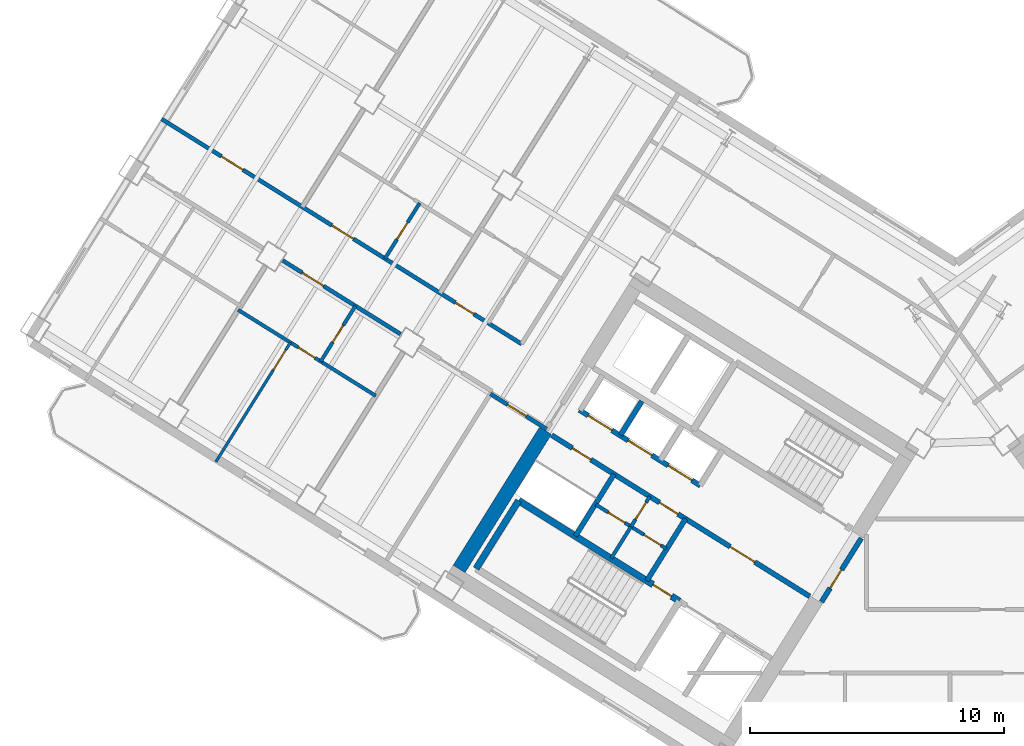
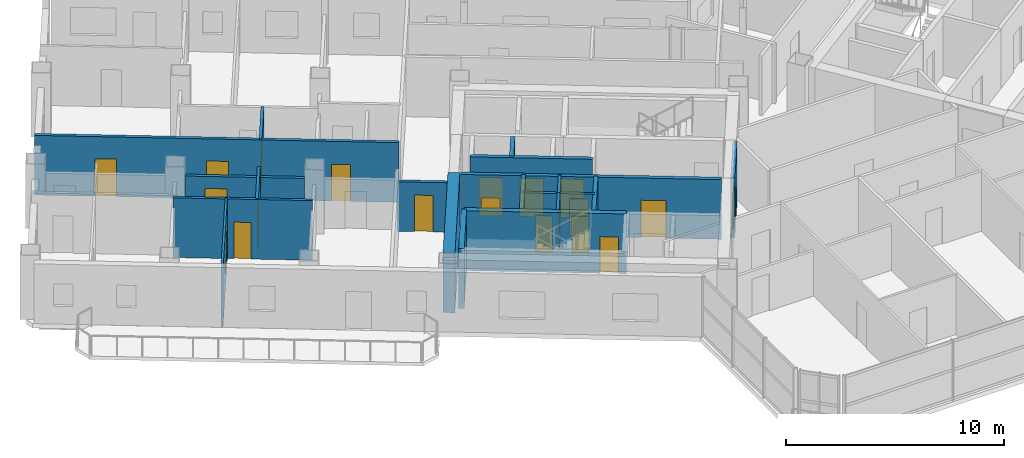
# One storey, part 12 of 20: 20 doors, 20 walls, 20 openings.
"""IFC4 building model written with IfcOpenShell, lengths in metres."""

from ifc_helpers import new_model, si_unit, direction, frame, frame_2d, origin, place, context, subcontext, project, spatial, rectangle, extrude, source, transform, mapped, material, layer, layer_set, type_object, element, fill, save


model = new_model("IFC4")

# Units and contexts
model_context = context("Model", 3, precision=1e-05, world=origin(), true_north=direction((0.0, 1.0)))
body_context = subcontext(model_context, "Body", "Model", "MODEL_VIEW")
ifc_project = project(units=[si_unit("LENGTHUNIT", "METRE"), si_unit("AREAUNIT", "SQUARE_METRE"), si_unit("VOLUMEUNIT", "CUBIC_METRE"), si_unit("PLANEANGLEUNIT", "RADIAN"), si_unit("MASSUNIT", "GRAM", prefix="KILO")], contexts=[model_context])

# Site, building, storey
site_placement = place(None, origin())
site = spatial("IfcSite", under=ifc_project, at=site_placement, CompositionType="ELEMENT")
building_placement = place(site_placement, origin())
building = spatial("IfcBuilding", under=site, at=building_placement, Name="Tlacorven Tower", CompositionType="ELEMENT")
storey_placement = place(building_placement, frame((0.0, 0.0, 108.89990234375)))
storey = spatial("IfcBuildingStorey", under=building, at=storey_placement, Name="L27", CompositionType="ELEMENT", Elevation=108.89990234375)

# Wall
ifc_material_1 = material(Name="Concrete C60/75", Category="concrete")
ifc_layer_1 = layer(ifc_material_1, 0.550048828125)
ifc_layer_set_1 = layer_set([ifc_layer_1], Name="Concrete C60/75")
wall_type_1 = type_object("IfcWallType", Name="WL-COR-550", PredefinedType="SHEAR", material=ifc_layer_set_1)
wall_1_placement = place(storey_placement, frame((26.006591796875, 24.975830078125, 0.0), z_axis=(0.0, 0.0, 1.0), x_axis=(-0.529923795287, -0.848045264823, 0.0)))
element("IfcWall", 1, at=wall_1_placement, inside=storey, type_object=wall_type_1, Name="L27 W core end wall E2.2", PredefinedType="SHEAR", context=body_context, shape_type="SweptSolid", body=[
    extrude(rectangle(XDim=6.425048828125, YDim=0.550048828125, at=frame_2d((3.21240234375, 0.0))), origin(), (0.0, 0.0, 1.0), 3.35009765625),
])

# Wall, opening, door
ifc_material_2 = material(Name="Gypsum plasterboard acoustic partition", Category="gypsum")
ifc_layer_2 = layer(ifc_material_2, 0.159912109375)
ifc_layer_set_2 = layer_set([ifc_layer_2], Name="Gypsum plasterboard acoustic partition")
wall_type_2 = type_object("IfcWallType", Name="WL-DEM-160", PredefinedType="PARTITIONING", material=ifc_layer_set_2)
wall_2_placement = place(storey_placement, frame((26.048828125, 25.043701171875, 0.0), z_axis=(0.0, 0.0, 1.0), x_axis=(-0.848050851465, 0.529914854792, 0.0)))
wall_2 = element("IfcWall", 2, at=wall_2_placement, inside=storey, type_object=wall_type_2, Name="L27 partition 46", PredefinedType="PARTITIONING", context=body_context, shape_type="SweptSolid", body=[
    extrude(rectangle(XDim=2.60986328125, YDim=0.159912109375, at=frame_2d((1.304931640625, 0.0))), origin(), (0.0, 0.0, 1.0), 2.775146484375),
])
opening_1_placement = place(wall_2_placement, frame((0.949951171875, 0.0, 0.0)))
opening_1 = element("IfcOpeningElement", 3, at=opening_1_placement, cuts=wall_2, Name="Opening D19", PredefinedType="OPENING", context=body_context, shape_type="SweptSolid", body=[
    extrude(rectangle(XDim=0.860107421875, YDim=2.050048828125, at=frame_2d((0.43017578125, 1.02490234375))), frame((0.0, 0.08984375, 0.0), z_axis=(0.0, -1.0, 0.0), x_axis=(1.0, 0.0, 0.0)), (0.0, 0.0, 1.0), 0.179931640625),
])
ifc_material_3 = material(Name="Fire-rated steel door assembly", Category="steel")
door_type_1 = type_object("IfcDoorType", Name="DR-RSR-FD60-0860", OperationType="NOTDEFINED", PredefinedType="DOOR", material=ifc_material_3)
shared_shape_1 = source(origin(), body_context, "Body", "SweptSolid", [
    extrude(rectangle(XDim=0.860107421875, YDim=2.050048828125, at=frame_2d((0.43017578125, 1.02490234375))), frame((0.0, 0.02490234375, 0.0), z_axis=(0.0, -1.0, 0.0), x_axis=(1.0, 0.0, 0.0)), (0.0, 0.0, 1.0), 0.050048828125),
])
door_1_placement = place(opening_1_placement, origin())
door_1 = element("IfcDoor", 4, at=door_1_placement, inside=storey, type_object=door_type_1, Name="L27 door 022", OperationType="SINGLE_SWING_LEFT", OverallHeight=2.050048828125, OverallWidth=0.860107421875, PredefinedType="DOOR", context=body_context, shape_type="MappedRepresentation", body=[
    mapped(shared_shape_1, transform((0.0, 0.0, 0.0), scale=1.0)),
])
fill(opening_1, door_1)

# Wall, openings, doors
wall_3_placement = place(storey_placement, frame((25.06494140625, 28.394287109375, 0.0), z_axis=(0.0, 0.0, 1.0), x_axis=(-0.848048310262, 0.529918921593, 0.0)))
wall_3 = element("IfcWall", 5, at=wall_3_placement, inside=storey, type_object=wall_type_2, Name="L27 Wing W Corridor South Wall", PredefinedType="PARTITIONING", context=body_context, shape_type="SweptSolid", body=[
    extrude(rectangle(XDim=16.72998046875, YDim=0.159912109375, at=frame_2d((8.364990234375, 0.0))), origin(), (0.0, 0.0, 1.0), 3.340087890625),
])
opening_2_placement = place(wall_3_placement, frame((2.219970703125, 0.0, 0.0)))
opening_2 = element("IfcOpeningElement", 6, at=opening_2_placement, cuts=wall_3, Name="Opening D19", PredefinedType="OPENING", context=body_context, shape_type="SweptSolid", body=[
    extrude(rectangle(XDim=0.860107421875, YDim=2.050048828125, at=frame_2d((0.43017578125, 1.02490234375))), frame((0.0, 0.08984375, 0.0), z_axis=(0.0, -1.0, 0.0), x_axis=(1.0, 0.0, 0.0)), (0.0, 0.0, 1.0), 0.179931640625),
])
opening_3_placement = place(wall_3_placement, frame((7.820068359375, 0.0, 0.0)))
opening_3 = element("IfcOpeningElement", 7, at=opening_3_placement, cuts=wall_3, Name="Opening D11", PredefinedType="OPENING", context=body_context, shape_type="SweptSolid", body=[
    extrude(rectangle(XDim=1.0, YDim=2.10009765625, at=frame_2d((0.5, 1.050048828125))), frame((0.0, 0.08984375, 0.0), z_axis=(0.0, -1.0, 0.0), x_axis=(1.0, 0.0, 0.0)), (0.0, 0.0, 1.0), 0.179931640625),
])
opening_4_placement = place(wall_3_placement, frame((12.949951171875, 0.0, 0.0)))
opening_4 = element("IfcOpeningElement", 8, at=opening_4_placement, cuts=wall_3, Name="Opening D11", PredefinedType="OPENING", context=body_context, shape_type="SweptSolid", body=[
    extrude(rectangle(XDim=1.0, YDim=2.10009765625, at=frame_2d((0.5, 1.050048828125))), frame((0.0, 0.08984375, 0.0), z_axis=(0.0, -1.0, 0.0), x_axis=(1.0, 0.0, 0.0)), (0.0, 0.0, 1.0), 0.179931640625),
])
door_2_placement = place(opening_2_placement, origin())
door_2 = element("IfcDoor", 9, at=door_2_placement, inside=storey, type_object=door_type_1, Name="L27 door 034", OperationType="SINGLE_SWING_RIGHT", OverallHeight=2.050048828125, OverallWidth=0.860107421875, PredefinedType="DOOR", context=body_context, shape_type="MappedRepresentation", body=[
    mapped(shared_shape_1, transform((0.0, 0.0, 0.0), scale=1.0)),
])
fill(opening_2, door_2)
door_type_2 = type_object("IfcDoorType", Name="DR-FLT-FD60-1000", OperationType="NOTDEFINED", PredefinedType="DOOR", material=ifc_material_3)
shared_shape_2 = source(origin(), body_context, "Body", "SweptSolid", [
    extrude(rectangle(XDim=1.0, YDim=2.10009765625, at=frame_2d((0.5, 1.050048828125))), frame((0.0, 0.02490234375, 0.0), z_axis=(0.0, -1.0, 0.0), x_axis=(1.0, 0.0, 0.0)), (0.0, 0.0, 1.0), 0.050048828125),
])
door_3_placement = place(opening_3_placement, origin())
door_3 = element("IfcDoor", 10, at=door_3_placement, inside=storey, type_object=door_type_2, Name="L27 door 038", OperationType="SINGLE_SWING_RIGHT", OverallHeight=2.10009765625, OverallWidth=1.0, PredefinedType="DOOR", context=body_context, shape_type="MappedRepresentation", body=[
    mapped(shared_shape_2, transform((0.0, 0.0, 0.0), scale=1.0)),
])
fill(opening_3, door_3)
door_4_placement = place(opening_4_placement, origin())
door_4 = element("IfcDoor", 11, at=door_4_placement, inside=storey, type_object=door_type_2, Name="L27 door 041", OperationType="SINGLE_SWING_LEFT", OverallHeight=2.10009765625, OverallWidth=1.0, PredefinedType="DOOR", context=body_context, shape_type="MappedRepresentation", body=[
    mapped(shared_shape_2, transform((0.0, 0.0, 0.0), scale=1.0)),
])
fill(opening_4, door_4)

# Wall, opening, door
wall_4_placement = place(storey_placement, frame((20.293212890625, 28.78173828125, 0.0), z_axis=(0.0, 0.0, 1.0), x_axis=(-0.848040881926, 0.529930809241, 0.0)))
wall_4 = element("IfcWall", 12, at=wall_4_placement, inside=storey, type_object=wall_type_2, Name="L27 Wing W Corridor North Wall", PredefinedType="PARTITIONING", context=body_context, shape_type="SweptSolid", body=[
    extrude(rectangle(XDim=5.475830078125, YDim=0.159912109375, at=frame_2d((2.73779296875, 0.0))), origin(), (0.0, 0.0, 1.0), 2.775146484375),
])
opening_5_placement = place(wall_4_placement, frame((3.568115234375, 0.0, 0.0)))
opening_5 = element("IfcOpeningElement", 13, at=opening_5_placement, cuts=wall_4, Name="Opening D11", PredefinedType="OPENING", context=body_context, shape_type="SweptSolid", body=[
    extrude(rectangle(XDim=1.0, YDim=2.10009765625, at=frame_2d((0.5, 1.050048828125))), frame((0.0, 0.08984375, 0.0), z_axis=(0.0, -1.0, 0.0), x_axis=(1.0, 0.0, 0.0)), (0.0, 0.0, 1.0), 0.179931640625),
])
door_5_placement = place(opening_5_placement, origin())
door_5 = element("IfcDoor", 14, at=door_5_placement, inside=storey, type_object=door_type_2, Name="L27 door 026", OperationType="SINGLE_SWING_LEFT", OverallHeight=2.10009765625, OverallWidth=1.0, PredefinedType="DOOR", context=body_context, shape_type="MappedRepresentation", body=[
    mapped(shared_shape_2, transform((0.0, 0.0, 0.0), scale=1.0)),
])
fill(opening_5, door_5)

ifc_material_4 = material(Name="Gypsum plasterboard partition", Category="gypsum")
ifc_layer_3 = layer(ifc_material_4, 0.110107421875)
ifc_layer_set_3 = layer_set([ifc_layer_3], Name="Gypsum plasterboard partition")
wall_type_3 = type_object("IfcWallType", Name="WL-INT-110", PredefinedType="PARTITIONING", material=ifc_layer_set_3)
wall_5_placement = place(storey_placement, frame((15.952880859375, 28.45166015625, 0.0), z_axis=(0.0, 0.0, 1.0), x_axis=(-0.529919714018, -0.848047815099, 0.0)))
wall_5 = element("IfcWall", 15, at=wall_5_placement, inside=storey, type_object=wall_type_3, Name="L27 partition 56", PredefinedType="PARTITIONING", context=body_context, shape_type="SweptSolid", body=[
    extrude(rectangle(XDim=5.5400390625, YDim=0.110107421875, at=frame_2d((2.77001953125, 0.0))), origin(), (0.0, 0.0, 1.0), 3.340087890625),
])
opening_6_placement = place(wall_5_placement, frame((0.35009765625, 0.0, 0.0)))
opening_6 = element("IfcOpeningElement", 16, at=opening_6_placement, cuts=wall_5, Name="Opening D12", PredefinedType="OPENING", context=body_context, shape_type="SweptSolid", body=[
    extrude(rectangle(XDim=0.919921875, YDim=2.080078125, at=frame_2d((0.4599609375, 1.0400390625))), frame((0.0, 0.06494140625, 0.0), z_axis=(0.0, -1.0, 0.0), x_axis=(1.0, 0.0, 0.0)), (0.0, 0.0, 1.0), 0.130126953125),
])
ifc_material_5 = material(Name="Powder-coated aluminium and timber door", Category="wood")
door_type_3 = type_object("IfcDoorType", Name="DR-INT-ROOM-0920", OperationType="NOTDEFINED", PredefinedType="DOOR", material=ifc_material_5)
shared_shape_3 = source(origin(), body_context, "Body", "SweptSolid", [
    extrude(rectangle(XDim=0.919921875, YDim=2.080078125, at=frame_2d((0.4599609375, 1.0400390625))), frame((0.0, 0.02490234375, 0.0), z_axis=(0.0, -1.0, 0.0), x_axis=(1.0, 0.0, 0.0)), (0.0, 0.0, 1.0), 0.050048828125),
])
door_6_placement = place(opening_6_placement, origin())
door_6 = element("IfcDoor", 17, at=door_6_placement, inside=storey, type_object=door_type_3, Name="L27 door 025", OperationType="SINGLE_SWING_LEFT", OverallHeight=2.080078125, OverallWidth=0.919921875, PredefinedType="DOOR", context=body_context, shape_type="MappedRepresentation", body=[
    mapped(shared_shape_3, transform((0.0, 0.0, 0.0), scale=1.0)),
])
fill(opening_6, door_6)

ifc_material_6 = material(Name="Moisture-resistant gypsum plumbing wall", Category="gypsum")
ifc_layer_4 = layer(ifc_material_6, 0.139892578125)
ifc_layer_set_4 = layer_set([ifc_layer_4], Name="Moisture-resistant gypsum plumbing wall")
wall_type_4 = type_object("IfcWallType", Name="WL-PLM-140", PredefinedType="PLUMBINGWALL", material=ifc_layer_set_4)
wall_6_placement = place(storey_placement, frame((30.117431640625, 22.383544921875, 0.0), z_axis=(0.0, 0.0, 1.0), x_axis=(-0.529951914384, -0.848027693204, 0.0)))
wall_6 = element("IfcWall", 18, at=wall_6_placement, inside=storey, type_object=wall_type_4, Name="L27 partition 23", PredefinedType="PLUMBINGWALL", context=body_context, shape_type="SweptSolid", body=[
    extrude(rectangle(XDim=1.39990234375, YDim=0.139892578125, at=frame_2d((0.699951171875, 0.0))), origin(), (0.0, 0.0, 1.0), 3.340087890625),
])
opening_7_placement = place(wall_6_placement, frame((0.280029296875, 0.0, 0.0)))
opening_7 = element("IfcOpeningElement", 19, at=opening_7_placement, cuts=wall_6, Name="Opening D22", PredefinedType="OPENING", context=body_context, shape_type="SweptSolid", body=[
    extrude(rectangle(XDim=0.780029296875, YDim=2.050048828125, at=frame_2d((0.39013671875, 1.02490234375))), frame((0.0, 0.080078125, 0.0), z_axis=(0.0, -1.0, 0.0), x_axis=(1.0, 0.0, 0.0)), (0.0, 0.0, 1.0), 0.159912109375),
])
door_type_4 = type_object("IfcDoorType", Name="DR-INT-WET-0780", OperationType="NOTDEFINED", PredefinedType="DOOR", material=ifc_material_5)
shared_shape_4 = source(origin(), body_context, "Body", "SweptSolid", [
    extrude(rectangle(XDim=0.780029296875, YDim=2.050048828125, at=frame_2d((0.39013671875, 1.02490234375))), frame((0.0, 0.02490234375, 0.0), z_axis=(0.0, -1.0, 0.0), x_axis=(1.0, 0.0, 0.0)), (0.0, 0.0, 1.0), 0.050048828125),
])
door_7_placement = place(opening_7_placement, origin())
door_7 = element("IfcDoor", 20, at=door_7_placement, inside=storey, type_object=door_type_4, Name="L27 door 011", OperationType="SINGLE_SWING_RIGHT", OverallHeight=2.050048828125, OverallWidth=0.780029296875, PredefinedType="DOOR", context=body_context, shape_type="MappedRepresentation", body=[
    mapped(shared_shape_4, transform((0.0, 0.0, 0.0), scale=1.0)),
])
fill(opening_7, door_7)

# Wall
wall_7_placement = place(storey_placement, frame((29.37548828125, 21.1962890625, 0.0), z_axis=(0.0, 0.0, 1.0), x_axis=(-0.529865479138, -0.848081702443, 0.0)))
element("IfcWall", 21, at=wall_7_placement, inside=storey, type_object=wall_type_4, Name="L27 partition 24", PredefinedType="PLUMBINGWALL", context=body_context, shape_type="SweptSolid", body=[
    extrude(rectangle(XDim=1.47998046875, YDim=0.139892578125, at=frame_2d((0.739990234375, 0.0))), origin(), (0.0, 0.0, 1.0), 3.340087890625),
])

# Wall, openings, doors
wall_8_placement = place(storey_placement, frame((30.766357421875, 20.3271484375, 0.0), z_axis=(0.0, 0.0, 1.0), x_axis=(-0.848052663127, 0.529911955482, 0.0)))
wall_8 = element("IfcWall", 22, at=wall_8_placement, inside=storey, type_object=wall_type_4, Name="L27 partition 25", PredefinedType="PLUMBINGWALL", context=body_context, shape_type="SweptSolid", body=[
    extrude(rectangle(XDim=3.27978515625, YDim=0.139892578125, at=frame_2d((1.639892578125, 0.0))), origin(), (0.0, 0.0, 1.0), 3.340087890625),
])
opening_8_placement = place(wall_8_placement, frame((0.25, 0.0, 0.0)))
opening_8 = element("IfcOpeningElement", 23, at=opening_8_placement, cuts=wall_8, Name="Opening D22", PredefinedType="OPENING", context=body_context, shape_type="SweptSolid", body=[
    extrude(rectangle(XDim=0.780029296875, YDim=2.050048828125, at=frame_2d((0.39013671875, 1.02490234375))), frame((0.0, 0.080078125, 0.0), z_axis=(0.0, -1.0, 0.0), x_axis=(1.0, 0.0, 0.0)), (0.0, 0.0, 1.0), 0.159912109375),
])
opening_9_placement = place(wall_8_placement, frame((1.919921875, 0.0, 0.0)))
opening_9 = element("IfcOpeningElement", 24, at=opening_9_placement, cuts=wall_8, Name="Opening D22", PredefinedType="OPENING", context=body_context, shape_type="SweptSolid", body=[
    extrude(rectangle(XDim=0.780029296875, YDim=2.050048828125, at=frame_2d((0.39013671875, 1.02490234375))), frame((0.0, 0.080078125, 0.0), z_axis=(0.0, -1.0, 0.0), x_axis=(1.0, 0.0, 0.0)), (0.0, 0.0, 1.0), 0.159912109375),
])
door_8_placement = place(opening_8_placement, origin())
door_8 = element("IfcDoor", 25, at=door_8_placement, inside=storey, type_object=door_type_4, Name="L27 door 012", OperationType="SINGLE_SWING_LEFT", OverallHeight=2.050048828125, OverallWidth=0.780029296875, PredefinedType="DOOR", context=body_context, shape_type="MappedRepresentation", body=[
    mapped(shared_shape_4, transform((0.0, 0.0, 0.0), scale=1.0)),
])
fill(opening_8, door_8)
door_9_placement = place(opening_9_placement, origin())
door_9 = element("IfcDoor", 26, at=door_9_placement, inside=storey, type_object=door_type_4, Name="L27 door 013", OperationType="SINGLE_SWING_RIGHT", OverallHeight=2.050048828125, OverallWidth=0.780029296875, PredefinedType="DOOR", context=body_context, shape_type="MappedRepresentation", body=[
    mapped(shared_shape_4, transform((0.0, 0.0, 0.0), scale=1.0)),
])
fill(opening_9, door_9)

# Wall, opening, door
wall_9_placement = place(storey_placement, frame((19.31787109375, 26.348876953125, 0.0), z_axis=(0.0, 0.0, 1.0), x_axis=(-0.848039019877, 0.529933789039, 0.0)))
wall_9 = element("IfcWall", 27, at=wall_9_placement, inside=storey, type_object=wall_type_4, Name="L27 partition 54", PredefinedType="PLUMBINGWALL", context=body_context, shape_type="SweptSolid", body=[
    extrude(rectangle(XDim=6.400146484375, YDim=0.139892578125, at=frame_2d((3.2001953125, 0.0))), origin(), (0.0, 0.0, 1.0), 3.340087890625),
])
opening_10_placement = place(wall_9_placement, frame((2.823974609375, 0.0, 0.0)))
opening_10 = element("IfcOpeningElement", 28, at=opening_10_placement, cuts=wall_9, Name="Opening D22", PredefinedType="OPENING", context=body_context, shape_type="SweptSolid", body=[
    extrude(rectangle(XDim=0.780029296875, YDim=2.050048828125, at=frame_2d((0.39013671875, 1.02490234375))), frame((0.0, 0.080078125, 0.0), z_axis=(0.0, -1.0, 0.0), x_axis=(1.0, 0.0, 0.0)), (0.0, 0.0, 1.0), 0.159912109375),
])
door_10_placement = place(opening_10_placement, origin())
door_10 = element("IfcDoor", 29, at=door_10_placement, inside=storey, type_object=door_type_4, Name="L27 door 027", OperationType="SINGLE_SWING_LEFT", OverallHeight=2.050048828125, OverallWidth=0.780029296875, PredefinedType="DOOR", context=body_context, shape_type="MappedRepresentation", body=[
    mapped(shared_shape_4, transform((0.0, 0.0, 0.0), scale=1.0)),
])
fill(opening_10, door_10)

wall_10_placement = place(storey_placement, frame((18.513916015625, 29.8935546875, 0.0), z_axis=(0.0, 0.0, 1.0), x_axis=(-0.529913878929, -0.848051461244, 0.0)))
wall_10 = element("IfcWall", 30, at=wall_10_placement, inside=storey, type_object=wall_type_4, Name="L27 partition 55", PredefinedType="PLUMBINGWALL", context=body_context, shape_type="SweptSolid", body=[
    extrude(rectangle(XDim=2.580078125, YDim=0.139892578125, at=frame_2d((1.2900390625, 0.0))), origin(), (0.0, 0.0, 1.0), 3.340087890625),
])
opening_11_placement = place(wall_10_placement, frame((0.89990234375, 0.0, 0.0)))
opening_11 = element("IfcOpeningElement", 31, at=opening_11_placement, cuts=wall_10, Name="Opening D22", PredefinedType="OPENING", context=body_context, shape_type="SweptSolid", body=[
    extrude(rectangle(XDim=0.780029296875, YDim=2.050048828125, at=frame_2d((0.39013671875, 1.02490234375))), frame((0.0, 0.080078125, 0.0), z_axis=(0.0, -1.0, 0.0), x_axis=(1.0, 0.0, 0.0)), (0.0, 0.0, 1.0), 0.159912109375),
])
door_11_placement = place(opening_11_placement, origin())
door_11 = element("IfcDoor", 32, at=door_11_placement, inside=storey, type_object=door_type_4, Name="L27 door 028", OperationType="SINGLE_SWING_RIGHT", OverallHeight=2.050048828125, OverallWidth=0.780029296875, PredefinedType="DOOR", context=body_context, shape_type="MappedRepresentation", body=[
    mapped(shared_shape_4, transform((0.0, 0.0, 0.0), scale=1.0)),
])
fill(opening_11, door_11)

wall_11_placement = place(storey_placement, frame((21.047119140625, 33.947265625, 0.0), z_axis=(0.0, 0.0, 1.0), x_axis=(-0.529913878929, -0.848051461244, 0.0)))
wall_11 = element("IfcWall", 33, at=wall_11_placement, inside=storey, type_object=wall_type_4, Name="L27 partition 66", PredefinedType="PLUMBINGWALL", context=body_context, shape_type="SweptSolid", body=[
    extrude(rectangle(XDim=2.580078125, YDim=0.139892578125, at=frame_2d((1.2900390625, 0.0))), origin(), (0.0, 0.0, 1.0), 3.340087890625),
])
opening_12_placement = place(wall_11_placement, frame((0.89990234375, 0.0, 0.0)))
opening_12 = element("IfcOpeningElement", 34, at=opening_12_placement, cuts=wall_11, Name="Opening D22", PredefinedType="OPENING", context=body_context, shape_type="SweptSolid", body=[
    extrude(rectangle(XDim=0.780029296875, YDim=2.050048828125, at=frame_2d((0.39013671875, 1.02490234375))), frame((0.0, 0.080078125, 0.0), z_axis=(0.0, -1.0, 0.0), x_axis=(1.0, 0.0, 0.0)), (0.0, 0.0, 1.0), 0.159912109375),
])
door_12_placement = place(opening_12_placement, origin())
door_12 = element("IfcDoor", 35, at=door_12_placement, inside=storey, type_object=door_type_4, Name="L27 door 040", OperationType="SINGLE_SWING_RIGHT", OverallHeight=2.050048828125, OverallWidth=0.780029296875, PredefinedType="DOOR", context=body_context, shape_type="MappedRepresentation", body=[
    mapped(shared_shape_4, transform((0.0, 0.0, 0.0), scale=1.0)),
])
fill(opening_12, door_12)

ifc_material_7 = material(Name="Concrete C40/50", Category="concrete")
ifc_layer_5 = layer(ifc_material_7, 0.199951171875)
ifc_layer_set_5 = layer_set([ifc_layer_5], Name="Concrete C40/50")
wall_type_5 = type_object("IfcWallType", Name="WL-SHF-200", PredefinedType="STANDARD", material=ifc_layer_set_5)
wall_12_placement = place(storey_placement, frame((36.416748046875, 18.447265625, 0.0), z_axis=(0.0, 0.0, 1.0), x_axis=(-0.848064879198, 0.529892404805, 0.0)))
wall_12 = element("IfcWall", 36, at=wall_12_placement, inside=storey, type_object=wall_type_5, Name="L27 Core W Smoke Lobby Wall", PredefinedType="STANDARD", context=body_context, shape_type="SweptSolid", body=[
    extrude(rectangle(XDim=5.76806640625, YDim=0.199951171875, at=frame_2d((2.884033203125, 0.0))), origin(), (0.0, 0.0, 1.0), 3.340087890625),
])
opening_13_placement = place(wall_12_placement, frame((2.548095703125, 0.0, 0.0)))
opening_13 = element("IfcOpeningElement", 37, at=opening_13_placement, cuts=wall_12, Name="Opening D09", PredefinedType="OPENING", context=body_context, shape_type="SweptSolid", body=[
    extrude(rectangle(XDim=1.14990234375, YDim=2.10009765625, at=frame_2d((0.574951171875, 1.050048828125))), frame((0.0, 0.10986328125, 0.0), z_axis=(0.0, -1.0, 0.0), x_axis=(1.0, 0.0, 0.0)), (0.0, 0.0, 1.0), 0.219970703125),
])
door_type_5 = type_object("IfcDoorType", Name="DR-FFL-FD60-1150", OperationType="NOTDEFINED", PredefinedType="DOOR", material=ifc_material_3)
shared_shape_5 = source(origin(), body_context, "Body", "SweptSolid", [
    extrude(rectangle(XDim=1.14990234375, YDim=2.10009765625, at=frame_2d((0.574951171875, 1.050048828125))), frame((0.0, 0.02490234375, 0.0), z_axis=(0.0, -1.0, 0.0), x_axis=(1.0, 0.0, 0.0)), (0.0, 0.0, 1.0), 0.050048828125),
])
door_13_placement = place(opening_13_placement, origin())
door_13 = element("IfcDoor", 38, at=door_13_placement, inside=storey, type_object=door_type_5, Name="L27 Firefighting Lobby W Fire Door", OperationType="SINGLE_SWING_LEFT", OverallHeight=2.10009765625, OverallWidth=1.14990234375, PredefinedType="DOOR", context=body_context, shape_type="MappedRepresentation", body=[
    mapped(shared_shape_5, transform((0.0, 0.0, 0.0), scale=1.0)),
])
fill(opening_13, door_13)

# Wall, openings, doors
wall_13_placement = place(storey_placement, frame((32.108154296875, 22.81396484375, 0.0), z_axis=(0.0, 0.0, 1.0), x_axis=(-0.848042229521, 0.529928652696, 0.0)))
wall_13 = element("IfcWall", 39, at=wall_13_placement, inside=storey, type_object=wall_type_5, Name="L27 partition 11", PredefinedType="STANDARD", context=body_context, shape_type="SweptSolid", body=[
    extrude(rectangle(XDim=5.6201171875, YDim=0.199951171875, at=frame_2d((2.81005859375, 0.0))), origin(), (0.0, 0.0, 1.0), 3.340087890625),
])
opening_14_placement = place(wall_13_placement, frame((0.389892578125, 0.0, 0.0)))
opening_14 = element("IfcOpeningElement", 40, at=opening_14_placement, cuts=wall_13, Name="Opening LD01", PredefinedType="OPENING", context=body_context, shape_type="SweptSolid", body=[
    extrude(rectangle(XDim=1.10009765625, YDim=2.14990234375, at=frame_2d((0.550048828125, 1.074951171875))), frame((0.0, 0.10986328125, 0.0), z_axis=(0.0, -1.0, 0.0), x_axis=(1.0, 0.0, 0.0)), (0.0, 0.0, 1.0), 0.219970703125),
])
opening_15_placement = place(wall_13_placement, frame((2.25, 0.0, 0.0)))
opening_15 = element("IfcOpeningElement", 41, at=opening_15_placement, cuts=wall_13, Name="Opening LD01", PredefinedType="OPENING", context=body_context, shape_type="SweptSolid", body=[
    extrude(rectangle(XDim=1.10009765625, YDim=2.14990234375, at=frame_2d((0.550048828125, 1.074951171875))), frame((0.0, 0.10986328125, 0.0), z_axis=(0.0, -1.0, 0.0), x_axis=(1.0, 0.0, 0.0)), (0.0, 0.0, 1.0), 0.219970703125),
])
opening_16_placement = place(wall_13_placement, frame((4.110107421875, 0.0, 0.0)))
opening_16 = element("IfcOpeningElement", 42, at=opening_16_placement, cuts=wall_13, Name="Opening LD01", PredefinedType="OPENING", context=body_context, shape_type="SweptSolid", body=[
    extrude(rectangle(XDim=1.10009765625, YDim=2.14990234375, at=frame_2d((0.550048828125, 1.074951171875))), frame((0.0, 0.10986328125, 0.0), z_axis=(0.0, -1.0, 0.0), x_axis=(1.0, 0.0, 0.0)), (0.0, 0.0, 1.0), 0.219970703125),
])
door_type_6 = type_object("IfcDoorType", Name="DR-LFT-SLID-1100", OperationType="DOUBLE_DOOR_SLIDING", PredefinedType="DOOR", material=ifc_material_3)
shared_shape_6 = source(origin(), body_context, "Body", "SweptSolid", [
    extrude(rectangle(XDim=1.10009765625, YDim=2.14990234375, at=frame_2d((0.550048828125, 1.074951171875))), frame((0.0, 0.02490234375, 0.0), z_axis=(0.0, -1.0, 0.0), x_axis=(1.0, 0.0, 0.0)), (0.0, 0.0, 1.0), 0.050048828125),
])
door_14_placement = place(opening_14_placement, origin())
door_14 = element("IfcDoor", 43, at=door_14_placement, inside=storey, type_object=door_type_6, Name="L27 Lift PL-M1 Sliding Landing Door", OperationType="DOUBLE_DOOR_SLIDING", OverallHeight=2.14990234375, OverallWidth=1.10009765625, PredefinedType="DOOR", context=body_context, shape_type="MappedRepresentation", body=[
    mapped(shared_shape_6, transform((0.0, 0.0, 0.0), scale=1.0)),
])
fill(opening_14, door_14)
door_15_placement = place(opening_15_placement, origin())
door_15 = element("IfcDoor", 44, at=door_15_placement, inside=storey, type_object=door_type_6, Name="L27 Lift PL-M2 Sliding Landing Door", OperationType="DOUBLE_DOOR_SLIDING", OverallHeight=2.14990234375, OverallWidth=1.10009765625, PredefinedType="DOOR", context=body_context, shape_type="MappedRepresentation", body=[
    mapped(shared_shape_6, transform((0.0, 0.0, 0.0), scale=1.0)),
])
fill(opening_15, door_15)
door_16_placement = place(opening_16_placement, origin())
door_16 = element("IfcDoor", 45, at=door_16_placement, inside=storey, type_object=door_type_6, Name="L27 Lift PL-M3 Sliding Landing Door", OperationType="DOUBLE_DOOR_SLIDING", OverallHeight=2.14990234375, OverallWidth=1.10009765625, PredefinedType="DOOR", context=body_context, shape_type="MappedRepresentation", body=[
    mapped(shared_shape_6, transform((0.0, 0.0, 0.0), scale=1.0)),
])
fill(opening_16, door_16)

# Walls
wall_14_placement = place(storey_placement, frame((29.80126953125, 26.14208984375, 0.0), z_axis=(0.0, 0.0, 1.0), x_axis=(-0.529998940003, -0.847998304005, 0.0)))
element("IfcWall", 46, at=wall_14_placement, inside=storey, type_object=wall_type_5, Name="L27 partition 19", PredefinedType="STANDARD", context=body_context, shape_type="SweptSolid", body=[
    extrude(rectangle(XDim=1.580078125, YDim=0.199951171875, at=frame_2d((0.7900390625, 0.0))), origin(), (0.0, 0.0, 1.0), 3.340087890625),
])
for number, where, z_axis, x_axis, name in (
    (47, (31.525146484375, 21.503662109375, 0.0), (0.0, 0.0, 1.0), (-0.529907497854, -0.848055448493, 0.0), "L27 partition 20"),
    (48, (28.709716796875, 23.26318359375, 0.0), (0.0, 0.0, 1.0), (-0.529907497854, -0.848055448493, 0.0), "L27 partition 21"),
):
    element("IfcWall", number, at=place(storey_placement, frame(where, z_axis=z_axis, x_axis=x_axis)), inside=storey, type_object=wall_type_5, Name=name, PredefinedType="STANDARD", context=body_context, shape_type="SweptSolid", body=[
        extrude(rectangle(XDim=2.8798828125, YDim=0.199951171875, at=frame_2d((1.43994140625, 0.0))), origin(), (0.0, 0.0, 1.0), 3.340087890625),
    ])

# Wall, openings, doors
wall_15_placement = place(storey_placement, frame((31.525146484375, 21.503662109375, 0.0), z_axis=(0.0, 0.0, 1.0), x_axis=(-0.848040211232, 0.529931882541, 0.0)))
wall_15 = element("IfcWall", 49, at=wall_15_placement, inside=storey, type_object=wall_type_5, Name="L27 Core W North Service Wall", PredefinedType="STANDARD", context=body_context, shape_type="SweptSolid", body=[
    extrude(rectangle(XDim=6.218017578125, YDim=0.199951171875, at=frame_2d((3.10888671875, 0.0))), origin(), (0.0, 0.0, 1.0), 3.340087890625),
])
opening_17_placement = place(wall_15_placement, frame((4.39990234375, 0.0, 0.0)))
opening_17 = element("IfcOpeningElement", 50, at=opening_17_placement, cuts=wall_15, Name="Opening D19", PredefinedType="OPENING", context=body_context, shape_type="SweptSolid", body=[
    extrude(rectangle(XDim=0.860107421875, YDim=2.050048828125, at=frame_2d((0.43017578125, 1.02490234375))), frame((0.0, 0.10986328125, 0.0), z_axis=(0.0, -1.0, 0.0), x_axis=(1.0, 0.0, 0.0)), (0.0, 0.0, 1.0), 0.219970703125),
])
opening_18_placement = place(wall_15_placement, frame((0.35009765625, 0.0, 0.0)))
opening_18 = element("IfcOpeningElement", 51, at=opening_18_placement, cuts=wall_15, Name="Opening D19", PredefinedType="OPENING", context=body_context, shape_type="SweptSolid", body=[
    extrude(rectangle(XDim=0.860107421875, YDim=2.050048828125, at=frame_2d((0.43017578125, 1.02490234375))), frame((0.0, 0.10986328125, 0.0), z_axis=(0.0, -1.0, 0.0), x_axis=(1.0, 0.0, 0.0)), (0.0, 0.0, 1.0), 0.219970703125),
])
door_17_placement = place(opening_17_placement, frame((0.860107421875, 0.0, 0.0), z_axis=(0.0, 0.0, 1.0), x_axis=(-1.0, 0.0, 0.0)))
door_17 = element("IfcDoor", 52, at=door_17_placement, inside=storey, type_object=door_type_1, Name="L27 Electrical Riser Access Door W", OperationType="SINGLE_SWING_RIGHT", OverallHeight=2.050048828125, OverallWidth=0.860107421875, PredefinedType="DOOR", context=body_context, shape_type="MappedRepresentation", body=[
    mapped(shared_shape_1, transform((0.0, 0.0, 0.0), scale=1.0)),
])
fill(opening_17, door_17)
door_18_placement = place(opening_18_placement, frame((0.860107421875, 0.0, 0.0), z_axis=(0.0, 0.0, 1.0), x_axis=(-1.0, 0.0, 0.0)))
door_18 = element("IfcDoor", 53, at=door_18_placement, inside=storey, type_object=door_type_1, Name="L27 Cleaning Room Access Door W", OperationType="SINGLE_SWING_LEFT", OverallHeight=2.050048828125, OverallWidth=0.860107421875, PredefinedType="DOOR", context=body_context, shape_type="MappedRepresentation", body=[
    mapped(shared_shape_1, transform((0.0, 0.0, 0.0), scale=1.0)),
])
fill(opening_18, door_18)

# Wall, opening, door
wall_16_placement = place(storey_placement, frame((38.451416015625, 20.737060546875, 0.0), z_axis=(0.0, 0.0, 1.0), x_axis=(-0.529924799939, -0.848044637038, 0.0)))
wall_16 = element("IfcWall", 54, at=wall_16_placement, inside=storey, type_object=wall_type_5, Name="L27 partition 73", PredefinedType="STANDARD", context=body_context, shape_type="SweptSolid", body=[
    extrude(rectangle(XDim=2.9599609375, YDim=0.199951171875, at=frame_2d((1.47998046875, 0.0))), origin(), (0.0, 0.0, 1.0), 3.340087890625),
])
opening_19_placement = place(wall_16_placement, frame((1.4599609375, 0.0, 0.0)))
opening_19 = element("IfcOpeningElement", 55, at=opening_19_placement, cuts=wall_16, Name="Opening D19", PredefinedType="OPENING", context=body_context, shape_type="SweptSolid", body=[
    extrude(rectangle(XDim=0.860107421875, YDim=2.050048828125, at=frame_2d((0.43017578125, 1.02490234375))), frame((0.0, 0.10986328125, 0.0), z_axis=(0.0, -1.0, 0.0), x_axis=(1.0, 0.0, 0.0)), (0.0, 0.0, 1.0), 0.219970703125),
])
door_19_placement = place(opening_19_placement, frame((0.860107421875, 0.0, 0.0), z_axis=(0.0, 0.0, 1.0), x_axis=(-1.0, 0.0, 0.0)))
door_19 = element("IfcDoor", 56, at=door_19_placement, inside=storey, type_object=door_type_1, Name="L27 door 047", OperationType="SINGLE_SWING_LEFT", OverallHeight=2.050048828125, OverallWidth=0.860107421875, PredefinedType="DOOR", context=body_context, shape_type="MappedRepresentation", body=[
    mapped(shared_shape_1, transform((0.0, 0.0, 0.0), scale=1.0)),
])
fill(opening_19, door_19)

ifc_material_8 = material(Name="Concrete C50/60", Category="concrete")
ifc_layer_6 = layer(ifc_material_8, 0.260009765625)
ifc_layer_set_6 = layer_set([ifc_layer_6], Name="Concrete C50/60")
wall_type_6 = type_object("IfcWallType", Name="WL-STW-260", PredefinedType="SHEAR", material=ifc_layer_set_6)
wall_17_placement = place(storey_placement, frame((31.279541015625, 18.26123046875, 0.0), z_axis=(0.0, 0.0, 1.0), x_axis=(-0.848051618787, 0.529913626805, 0.0)))
wall_17 = element("IfcWall", 57, at=wall_17_placement, inside=storey, type_object=wall_type_6, Name="L27 Stair W1 Lobby Shear Wall", PredefinedType="SHEAR", context=body_context, shape_type="SweptSolid", body=[
    extrude(rectangle(XDim=7.4599609375, YDim=0.260009765625, at=frame_2d((3.72998046875, 0.0))), origin(), (0.0, 0.0, 1.0), 3.35009765625),
])
opening_20_placement = place(wall_17_placement, frame((0.360107421875, 0.0, 0.0)))
opening_20 = element("IfcOpeningElement", 58, at=opening_20_placement, cuts=wall_17, Name="Opening D19", PredefinedType="OPENING", context=body_context, shape_type="SweptSolid", body=[
    extrude(rectangle(XDim=0.860107421875, YDim=2.050048828125, at=frame_2d((0.43017578125, 1.02490234375))), frame((0.0, 0.14013671875, 0.0), z_axis=(0.0, -1.0, 0.0), x_axis=(1.0, 0.0, 0.0)), (0.0, 0.0, 1.0), 0.280029296875),
])
door_20_placement = place(opening_20_placement, frame((0.860107421875, 0.0, 0.0), z_axis=(0.0, 0.0, 1.0), x_axis=(-1.0, 0.0, 0.0)))
door_20 = element("IfcDoor", 59, at=door_20_placement, inside=storey, type_object=door_type_1, Name="L27 Exit Stair W1 Fire Door", OperationType="SINGLE_SWING_LEFT", OverallHeight=2.050048828125, OverallWidth=0.860107421875, PredefinedType="DOOR", context=body_context, shape_type="MappedRepresentation", body=[
    mapped(shared_shape_1, transform((0.0, 0.0, 0.0), scale=1.0)),
])
fill(opening_20, door_20)

# Wall
wall_18_placement = place(storey_placement, frame((24.944580078125, 22.2197265625, 0.0), z_axis=(0.0, 0.0, 1.0), x_axis=(-0.529908658664, -0.84805472316, 0.0)))
element("IfcWall", 60, at=wall_18_placement, inside=storey, type_object=wall_type_6, Name="L27 Stair W1 East Shear Wall", PredefinedType="SHEAR", context=body_context, shape_type="SweptSolid", body=[
    extrude(rectangle(XDim=3.16015625, YDim=0.260009765625, at=frame_2d((1.580078125, 0.0))), origin(), (0.0, 0.0, 1.0), 3.35009765625),
])

save(model, "model.ifc")
